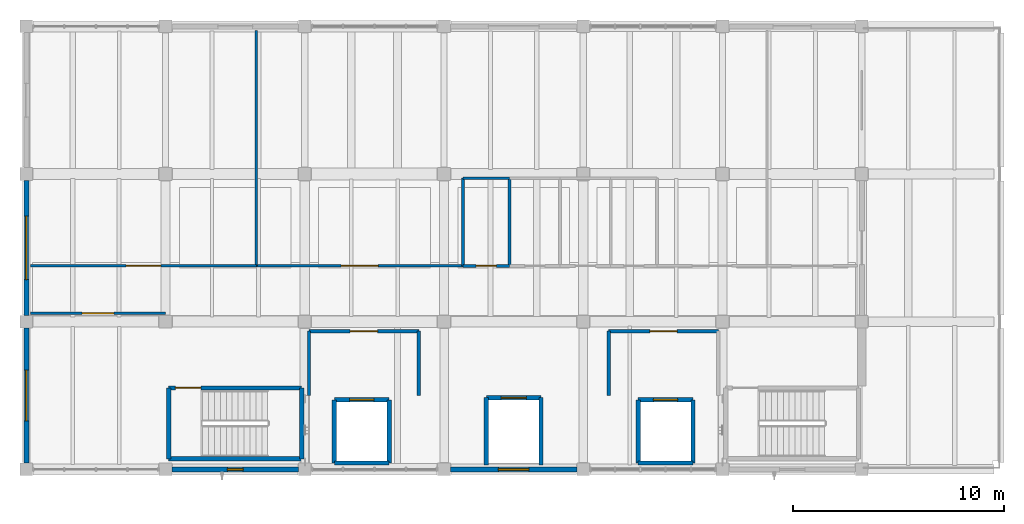
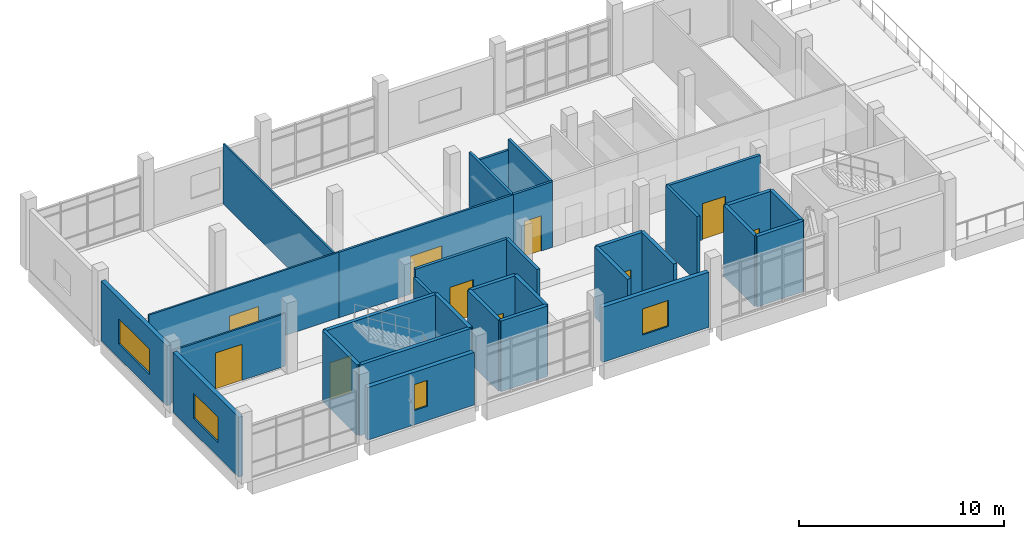
# One storey, part 9 of 14: 32 walls, 10 doors, 4 windows, 14 openings.
"""IFC4 building model written with IfcOpenShell, lengths in metres."""

from ifc_helpers import new_model, si_unit, direction, frame, frame_2d, origin, place, context, subcontext, project, spatial, rectangle, extrude, material, layer, layer_set, type_object, element, fill, save


model = new_model("IFC4")

# Units and contexts
model_context = context("Model", 3, precision=1e-05, world=origin(), true_north=direction((0.0, 1.0)))
body_context = subcontext(model_context, "Body", "Model", "MODEL_VIEW")
ifc_project = project(units=[si_unit("LENGTHUNIT", "METRE"), si_unit("AREAUNIT", "SQUARE_METRE"), si_unit("VOLUMEUNIT", "CUBIC_METRE"), si_unit("PLANEANGLEUNIT", "RADIAN"), si_unit("MASSUNIT", "GRAM", prefix="KILO")], contexts=[model_context])

# Site, building, storey
site_placement = place(None, origin())
site = spatial("IfcSite", under=ifc_project, at=site_placement, CompositionType="ELEMENT")
building_placement = place(site_placement, origin())
building = spatial("IfcBuilding", under=site, at=building_placement, Name="Ciguamira Faculty of Natural Sciences", CompositionType="ELEMENT")
storey_placement = place(building_placement, frame((0.0, 0.0, 29.39990234375)))
storey = spatial("IfcBuildingStorey", under=building, at=storey_placement, Name="L07", CompositionType="ELEMENT", Elevation=29.39990234375)

# Wall, opening, window
ifc_material_1 = material(Name="Precast concrete C40/50", Category="concrete")
ifc_layer_1 = layer(ifc_material_1, 0.239990234375, Name="Precast concrete C40/50")
ifc_layer_set_1 = layer_set([ifc_layer_1], Name="Precast concrete C40/50")
wall_type_1 = type_object("IfcWallType", Name="ExtWall_EW-02_240", PredefinedType="SOLIDWALL", material=ifc_layer_set_1)
wall_1_placement = place(storey_placement, frame((70.800048828125, 94.0, 0.0), z_axis=(0.0, 0.0, 1.0), x_axis=(1.0, 0.0, 0.0)))
wall_1 = element("IfcWall", 1, at=wall_1_placement, inside=storey, type_object=wall_type_1, Name="L07 exterior wall 0361", PredefinedType="SOLIDWALL", context=body_context, shape_type="SweptSolid", body=[
    extrude(rectangle(XDim=6.0, YDim=0.239990234375, at=frame_2d((3.0, 0.0))), origin(), (0.0, 0.0, 1.0), 3.135009765625),
])
opening_1_placement = place(wall_1_placement, frame((2.625, 0.0, 0.85009765625)))
opening_1 = element("IfcOpeningElement", 2, at=opening_1_placement, cuts=wall_1, Name="Opening WT-35", PredefinedType="OPENING", context=body_context, shape_type="SweptSolid", body=[
    extrude(rectangle(XDim=0.75, YDim=1.550048828125, at=frame_2d((0.375, 0.77490234375))), frame((0.0, 0.1298828125, 0.0), z_axis=(0.0, -1.0, 0.0), x_axis=(1.0, 0.0, 0.0)), (0.0, 0.0, 1.0), 0.260009765625),
])
ifc_material_2 = material(Name="Hurricane laminated solar glass", Category="glass")
window_type_1 = type_object("IfcWindowType", Name="Window_WT-35_750x1550", PartitioningType="DOUBLE_PANEL_VERTICAL", PredefinedType="WINDOW", material=ifc_material_2)
window_1_placement = place(opening_1_placement, origin())
window_1 = element("IfcWindow", 3, at=window_1_placement, inside=storey, type_object=window_type_1, Name="L07 facade window 0250", OverallHeight=1.550048828125, OverallWidth=0.75, PartitioningType="SINGLE_PANEL", PredefinedType="WINDOW", context=body_context, shape_type="SweptSolid", body=[
    extrude(rectangle(XDim=0.75, YDim=1.550048828125, at=frame_2d((0.375, 0.77490234375))), frame((0.0, 0.030029296875, 0.0), z_axis=(0.0, -1.0, 0.0), x_axis=(1.0, 0.0, 0.0)), (0.0, 0.0, 1.0), 0.06005859375),
])
fill(opening_1, window_1)

wall_2_placement = place(storey_placement, frame((84.0, 94.0, 0.0), z_axis=(0.0, 0.0, 1.0), x_axis=(1.0, 0.0, 0.0)))
wall_2 = element("IfcWall", 4, at=wall_2_placement, inside=storey, type_object=wall_type_1, Name="L07 exterior wall 0362", PredefinedType="SOLIDWALL", context=body_context, shape_type="SweptSolid", body=[
    extrude(rectangle(XDim=6.0, YDim=0.239990234375, at=frame_2d((3.0, 0.0))), origin(), (0.0, 0.0, 1.0), 3.28515625),
])
opening_2_placement = place(wall_2_placement, frame((2.27490234375, 0.0, 0.85009765625)))
opening_2 = element("IfcOpeningElement", 5, at=opening_2_placement, cuts=wall_2, Name="Opening WT-38", PredefinedType="OPENING", context=body_context, shape_type="SweptSolid", body=[
    extrude(rectangle(XDim=1.449951171875, YDim=1.550048828125, at=frame_2d((0.72509765625, 0.77490234375))), frame((0.0, 0.1298828125, 0.0), z_axis=(0.0, -1.0, 0.0), x_axis=(1.0, 0.0, 0.0)), (0.0, 0.0, 1.0), 0.260009765625),
])
window_type_2 = type_object("IfcWindowType", Name="Window_WT-38_1450x1550", PartitioningType="DOUBLE_PANEL_VERTICAL", PredefinedType="WINDOW", material=ifc_material_2)
window_2_placement = place(opening_2_placement, origin())
window_2 = element("IfcWindow", 6, at=window_2_placement, inside=storey, type_object=window_type_2, Name="L07 facade window 0251", OverallHeight=1.550048828125, OverallWidth=1.449951171875, PartitioningType="SINGLE_PANEL", PredefinedType="WINDOW", context=body_context, shape_type="SweptSolid", body=[
    extrude(rectangle(XDim=1.449951171875, YDim=1.550048828125, at=frame_2d((0.72509765625, 0.77490234375))), frame((0.0, 0.030029296875, 0.0), z_axis=(0.0, -1.0, 0.0), x_axis=(1.0, 0.0, 0.0)), (0.0, 0.0, 1.0), 0.06005859375),
])
fill(opening_2, window_2)

wall_3_placement = place(storey_placement, frame((63.89990234375, 94.300048828125, 0.0), z_axis=(0.0, 0.0, 1.0), x_axis=(0.0, 1.0, 0.0)))
wall_3 = element("IfcWall", 7, at=wall_3_placement, inside=storey, type_object=wall_type_1, Name="L07 exterior wall 0367", PredefinedType="SOLIDWALL", context=body_context, shape_type="SweptSolid", body=[
    extrude(rectangle(XDim=6.39990234375, YDim=0.239990234375, at=frame_2d((3.199951171875, 0.0))), origin(), (0.0, 0.0, 1.0), 3.565185546875),
])
opening_3_placement = place(wall_3_placement, frame((2.0, 0.0, 0.85009765625)))
opening_3 = element("IfcOpeningElement", 8, at=opening_3_placement, cuts=wall_3, Name="Opening WT-12", PredefinedType="OPENING", context=body_context, shape_type="SweptSolid", body=[
    extrude(rectangle(XDim=2.39990234375, YDim=1.5, at=frame_2d((1.199951171875, 0.75))), frame((0.0, 0.1298828125, 0.0), z_axis=(0.0, -1.0, 0.0), x_axis=(1.0, 0.0, 0.0)), (0.0, 0.0, 1.0), 0.260009765625),
])
window_type_3 = type_object("IfcWindowType", Name="Window_WT-12_2400x1500", PartitioningType="DOUBLE_PANEL_VERTICAL", PredefinedType="WINDOW", material=ifc_material_2)
window_3_placement = place(opening_3_placement, origin())
window_3 = element("IfcWindow", 9, at=window_3_placement, inside=storey, type_object=window_type_3, Name="L07 facade window 0256", OverallHeight=1.5, OverallWidth=2.39990234375, PartitioningType="SINGLE_PANEL", PredefinedType="WINDOW", context=body_context, shape_type="SweptSolid", body=[
    extrude(rectangle(XDim=2.39990234375, YDim=1.5, at=frame_2d((1.199951171875, 0.75))), frame((0.0, 0.030029296875, 0.0), z_axis=(0.0, -1.0, 0.0), x_axis=(1.0, 0.0, 0.0)), (0.0, 0.0, 1.0), 0.06005859375),
])
fill(opening_3, window_3)

wall_4_placement = place(storey_placement, frame((63.89990234375, 101.300048828125, 0.0), z_axis=(0.0, 0.0, 1.0), x_axis=(0.0, 1.0, 0.0)))
wall_4 = element("IfcWall", 10, at=wall_4_placement, inside=storey, type_object=wall_type_1, Name="L07 exterior wall 0368", PredefinedType="SOLIDWALL", context=body_context, shape_type="SweptSolid", body=[
    extrude(rectangle(XDim=6.39990234375, YDim=0.239990234375, at=frame_2d((3.199951171875, 0.0))), origin(), (0.0, 0.0, 1.0), 3.565185546875),
])
opening_4_placement = place(wall_4_placement, frame((1.699951171875, 0.0, 0.85009765625)))
opening_4 = element("IfcOpeningElement", 11, at=opening_4_placement, cuts=wall_4, Name="Opening WT-14", PredefinedType="OPENING", context=body_context, shape_type="SweptSolid", body=[
    extrude(rectangle(XDim=3.0, YDim=1.5, at=frame_2d((1.5, 0.75))), frame((0.0, 0.1298828125, 0.0), z_axis=(0.0, -1.0, 0.0), x_axis=(1.0, 0.0, 0.0)), (0.0, 0.0, 1.0), 0.260009765625),
])
window_type_4 = type_object("IfcWindowType", Name="Window_WT-14_3000x1500", PartitioningType="DOUBLE_PANEL_VERTICAL", PredefinedType="WINDOW", material=ifc_material_2)
window_4_placement = place(opening_4_placement, origin())
window_4 = element("IfcWindow", 12, at=window_4_placement, inside=storey, type_object=window_type_4, Name="L07 facade window 0257", OverallHeight=1.5, OverallWidth=3.0, PartitioningType="SINGLE_PANEL", PredefinedType="WINDOW", context=body_context, shape_type="SweptSolid", body=[
    extrude(rectangle(XDim=3.0, YDim=1.5, at=frame_2d((1.5, 0.75))), frame((0.0, 0.030029296875, 0.0), z_axis=(0.0, -1.0, 0.0), x_axis=(1.0, 0.0, 0.0)), (0.0, 0.0, 1.0), 0.06005859375),
])
fill(opening_4, window_4)

# Wall
ifc_material_3 = material(Name="Concrete C40/50", Category="concrete")
ifc_layer_2 = layer(ifc_material_3, 0.199951171875, Name="Concrete C40/50")
ifc_layer_set_2 = layer_set([ifc_layer_2], Name="Concrete C40/50")
wall_type_2 = type_object("IfcWallType", Name="IntWall_CW-S20_200", PredefinedType="SHEAR", material=ifc_layer_set_2)
wall_5_placement = place(storey_placement, frame((70.64990234375, 94.5, 0.0), z_axis=(0.0, 0.0, 1.0), x_axis=(1.0, 0.0, 0.0)))
element("IfcWall", 13, at=wall_5_placement, inside=storey, type_object=wall_type_2, Name="L07 ST-T1 core shear wall south", PredefinedType="SHEAR", context=body_context, shape_type="SweptSolid", body=[
    extrude(rectangle(XDim=6.300048828125, YDim=0.199951171875, at=frame_2d((3.14990234375, 0.0))), origin(), (0.0, 0.0, 1.0), 4.2001953125),
])

# Wall, opening, door
wall_6_placement = place(storey_placement, frame((70.64990234375, 97.860107421875, 0.0), z_axis=(0.0, 0.0, 1.0), x_axis=(1.0, 0.0, 0.0)))
wall_6 = element("IfcWall", 14, at=wall_6_placement, inside=storey, type_object=wall_type_2, Name="L07 ST-T1 core shear wall north", PredefinedType="SHEAR", context=body_context, shape_type="SweptSolid", body=[
    extrude(rectangle(XDim=6.300048828125, YDim=0.199951171875, at=frame_2d((3.14990234375, 0.0))), origin(), (0.0, 0.0, 1.0), 4.2001953125),
])
opening_5_placement = place(wall_6_placement, frame((0.320068359375, 0.0, 0.0)))
opening_5 = element("IfcOpeningElement", 15, at=opening_5_placement, cuts=wall_6, Name="Opening ID-14", PredefinedType="OPENING", context=body_context, shape_type="SweptSolid", body=[
    extrude(rectangle(XDim=1.199951171875, YDim=2.14990234375, at=frame_2d((0.60009765625, 1.074951171875))), frame((0.0, 0.10986328125, 0.0), z_axis=(0.0, -1.0, 0.0), x_axis=(1.0, 0.0, 0.0)), (0.0, 0.0, 1.0), 0.219970703125),
])
ifc_material_4 = material(Name="Protected exit stair fire door")
door_type_1 = type_object("IfcDoorType", Name="IntDoor_ID-14_1200x2150", OperationType="NOTDEFINED", PredefinedType="DOOR", material=ifc_material_4)
door_1_placement = place(opening_5_placement, frame((1.199951171875, 0.0, 0.0), z_axis=(0.0, 0.0, 1.0), x_axis=(-1.0, 0.0, 0.0)))
door_1 = element("IfcDoor", 16, at=door_1_placement, inside=storey, type_object=door_type_1, Name="L07 ST-T1 exit stair fire door", OperationType="SINGLE_SWING_LEFT", OverallHeight=2.14990234375, OverallWidth=1.199951171875, PredefinedType="DOOR", context=body_context, shape_type="SweptSolid", body=[
    extrude(rectangle(XDim=1.199951171875, YDim=2.14990234375, at=frame_2d((0.60009765625, 1.074951171875))), frame((0.0, 0.02490234375, 0.0), z_axis=(0.0, -1.0, 0.0), x_axis=(1.0, 0.0, 0.0)), (0.0, 0.0, 1.0), 0.050048828125),
])
fill(opening_5, door_1)

# Walls
for number, where, z_axis, x_axis, name in (
    (17, (70.64990234375, 94.5, 0.0), (0.0, 0.0, 1.0), (0.0, 1.0, 0.0), "L07 ST-T1 core shear wall west"),
    (18, (76.949951171875, 94.5, 0.0), (0.0, 0.0, 1.0), (0.0, 1.0, 0.0), "L07 ST-T1 core shear wall east"),
):
    element("IfcWall", number, at=place(storey_placement, frame(where, z_axis=z_axis, x_axis=x_axis)), inside=storey, type_object=wall_type_2, Name=name, PredefinedType="SHEAR", context=body_context, shape_type="SweptSolid", body=[
        extrude(rectangle(XDim=3.360107421875, YDim=0.199951171875, at=frame_2d((1.68017578125, 0.0))), origin(), (0.0, 0.0, 1.0), 4.2001953125),
    ])
wall_7_placement = place(storey_placement, frame((78.5, 94.300048828125, 0.0), z_axis=(0.0, 0.0, 1.0), x_axis=(1.0, 0.0, 0.0)))
element("IfcWall", 19, at=wall_7_placement, inside=storey, type_object=wall_type_2, Name="L07 EL-FF1 hoistway wall south", PredefinedType="SHEAR", context=body_context, shape_type="SweptSolid", body=[
    extrude(rectangle(XDim=2.60009765625, YDim=0.199951171875, at=frame_2d((1.300048828125, 0.0))), origin(), (0.0, 0.0, 1.0), 4.2001953125),
])

# Wall, opening, door
wall_8_placement = place(storey_placement, frame((78.5, 97.300048828125, 0.0), z_axis=(0.0, 0.0, 1.0), x_axis=(1.0, 0.0, 0.0)))
wall_8 = element("IfcWall", 20, at=wall_8_placement, inside=storey, type_object=wall_type_2, Name="L07 EL-FF1 hoistway wall north", PredefinedType="SHEAR", context=body_context, shape_type="SweptSolid", body=[
    extrude(rectangle(XDim=2.60009765625, YDim=0.199951171875, at=frame_2d((1.300048828125, 0.0))), origin(), (0.0, 0.0, 1.0), 4.2001953125),
])
opening_6_placement = place(wall_8_placement, frame((0.72509765625, 0.0, 0.0)))
opening_6 = element("IfcOpeningElement", 21, at=opening_6_placement, cuts=wall_8, Name="Opening LD-03", PredefinedType="OPENING", context=body_context, shape_type="SweptSolid", body=[
    extrude(rectangle(XDim=1.14990234375, YDim=2.199951171875, at=frame_2d((0.574951171875, 1.10009765625))), frame((0.0, 0.10986328125, 0.0), z_axis=(0.0, -1.0, 0.0), x_axis=(1.0, 0.0, 0.0)), (0.0, 0.0, 1.0), 0.219970703125),
])
ifc_material_5 = material(Name="Firefighting lift sliding landing door")
door_type_2 = type_object("IfcDoorType", Name="LiftLandingDoor_LD-03_1150x2200", OperationType="SLIDING_TO_LEFT", PredefinedType="DOOR", material=ifc_material_5)
door_2_placement = place(opening_6_placement, origin())
door_2 = element("IfcDoor", 22, at=door_2_placement, inside=storey, type_object=door_type_2, Name="L07 EL-FF1 elevator landing sliding door", OperationType="SLIDING_TO_LEFT", OverallHeight=2.199951171875, OverallWidth=1.14990234375, PredefinedType="DOOR", context=body_context, shape_type="SweptSolid", body=[
    extrude(rectangle(XDim=1.14990234375, YDim=2.199951171875, at=frame_2d((0.574951171875, 1.10009765625))), frame((0.0, 0.02490234375, 0.0), z_axis=(0.0, -1.0, 0.0), x_axis=(1.0, 0.0, 0.0)), (0.0, 0.0, 1.0), 0.050048828125),
])
fill(opening_6, door_2)

# Walls
for number, where, z_axis, x_axis, name in (
    (23, (78.5, 94.300048828125, 0.0), (0.0, 0.0, 1.0), (0.0, 1.0, 0.0), "L07 EL-FF1 hoistway wall west"),
    (24, (81.10009765625, 94.300048828125, 0.0), (0.0, 0.0, 1.0), (0.0, 1.0, 0.0), "L07 EL-FF1 hoistway wall east"),
):
    element("IfcWall", number, at=place(storey_placement, frame(where, z_axis=z_axis, x_axis=x_axis)), inside=storey, type_object=wall_type_2, Name=name, PredefinedType="SHEAR", context=body_context, shape_type="SweptSolid", body=[
        extrude(rectangle(XDim=3.0, YDim=0.199951171875, at=frame_2d((1.5, 0.0))), origin(), (0.0, 0.0, 1.0), 4.2001953125),
    ])
wall_9_placement = place(storey_placement, frame((92.89990234375, 94.300048828125, 0.0), z_axis=(0.0, 0.0, 1.0), x_axis=(1.0, 0.0, 0.0)))
element("IfcWall", 25, at=wall_9_placement, inside=storey, type_object=wall_type_2, Name="L07 EL-FF2 hoistway wall south", PredefinedType="SHEAR", context=body_context, shape_type="SweptSolid", body=[
    extrude(rectangle(XDim=2.60009765625, YDim=0.199951171875, at=frame_2d((1.300048828125, 0.0))), origin(), (0.0, 0.0, 1.0), 4.2001953125),
])

# Wall, opening, door
wall_10_placement = place(storey_placement, frame((92.89990234375, 97.300048828125, 0.0), z_axis=(0.0, 0.0, 1.0), x_axis=(1.0, 0.0, 0.0)))
wall_10 = element("IfcWall", 26, at=wall_10_placement, inside=storey, type_object=wall_type_2, Name="L07 EL-FF2 hoistway wall north", PredefinedType="SHEAR", context=body_context, shape_type="SweptSolid", body=[
    extrude(rectangle(XDim=2.60009765625, YDim=0.199951171875, at=frame_2d((1.300048828125, 0.0))), origin(), (0.0, 0.0, 1.0), 4.2001953125),
])
opening_7_placement = place(wall_10_placement, frame((0.72509765625, 0.0, 0.0)))
opening_7 = element("IfcOpeningElement", 27, at=opening_7_placement, cuts=wall_10, Name="Opening LD-03", PredefinedType="OPENING", context=body_context, shape_type="SweptSolid", body=[
    extrude(rectangle(XDim=1.14990234375, YDim=2.199951171875, at=frame_2d((0.574951171875, 1.10009765625))), frame((0.0, 0.10986328125, 0.0), z_axis=(0.0, -1.0, 0.0), x_axis=(1.0, 0.0, 0.0)), (0.0, 0.0, 1.0), 0.219970703125),
])
door_3_placement = place(opening_7_placement, origin())
door_3 = element("IfcDoor", 28, at=door_3_placement, inside=storey, type_object=door_type_2, Name="L07 EL-FF2 elevator landing sliding door", OperationType="SLIDING_TO_LEFT", OverallHeight=2.199951171875, OverallWidth=1.14990234375, PredefinedType="DOOR", context=body_context, shape_type="SweptSolid", body=[
    extrude(rectangle(XDim=1.14990234375, YDim=2.199951171875, at=frame_2d((0.574951171875, 1.10009765625))), frame((0.0, 0.02490234375, 0.0), z_axis=(0.0, -1.0, 0.0), x_axis=(1.0, 0.0, 0.0)), (0.0, 0.0, 1.0), 0.050048828125),
])
fill(opening_7, door_3)

# Walls
for number, where, z_axis, x_axis, name in (
    (29, (92.89990234375, 94.300048828125, 0.0), (0.0, 0.0, 1.0), (0.0, 1.0, 0.0), "L07 EL-FF2 hoistway wall west"),
    (30, (95.5, 94.300048828125, 0.0), (0.0, 0.0, 1.0), (0.0, 1.0, 0.0), "L07 EL-FF2 hoistway wall east"),
):
    element("IfcWall", number, at=place(storey_placement, frame(where, z_axis=z_axis, x_axis=x_axis)), inside=storey, type_object=wall_type_2, Name=name, PredefinedType="SHEAR", context=body_context, shape_type="SweptSolid", body=[
        extrude(rectangle(XDim=3.0, YDim=0.199951171875, at=frame_2d((1.5, 0.0))), origin(), (0.0, 0.0, 1.0), 4.2001953125),
    ])

# Wall, opening, door
wall_11_placement = place(storey_placement, frame((85.699951171875, 97.39990234375, 0.0), z_axis=(0.0, 0.0, 1.0), x_axis=(1.0, 0.0, 0.0)))
wall_11 = element("IfcWall", 31, at=wall_11_placement, inside=storey, type_object=wall_type_2, Name="L07 EL-P1 hoistway wall north", PredefinedType="SHEAR", context=body_context, shape_type="SweptSolid", body=[
    extrude(rectangle(XDim=2.60009765625, YDim=0.199951171875, at=frame_2d((1.300048828125, 0.0))), origin(), (0.0, 0.0, 1.0), 4.2001953125),
])
opening_8_placement = place(wall_11_placement, frame((0.699951171875, 0.0, 0.0)))
opening_8 = element("IfcOpeningElement", 32, at=opening_8_placement, cuts=wall_11, Name="Opening LD-02", PredefinedType="OPENING", context=body_context, shape_type="SweptSolid", body=[
    extrude(rectangle(XDim=1.199951171875, YDim=2.199951171875, at=frame_2d((0.60009765625, 1.10009765625))), frame((0.0, 0.10986328125, 0.0), z_axis=(0.0, -1.0, 0.0), x_axis=(1.0, 0.0, 0.0)), (0.0, 0.0, 1.0), 0.219970703125),
])
ifc_material_6 = material(Name="Stretcher elevator sliding landing door")
door_type_3 = type_object("IfcDoorType", Name="LiftLandingDoor_LD-02_1200x2200", OperationType="SLIDING_TO_LEFT", PredefinedType="DOOR", material=ifc_material_6)
door_4_placement = place(opening_8_placement, origin())
door_4 = element("IfcDoor", 33, at=door_4_placement, inside=storey, type_object=door_type_3, Name="L07 EL-P1 elevator landing sliding door", OperationType="SLIDING_TO_LEFT", OverallHeight=2.199951171875, OverallWidth=1.199951171875, PredefinedType="DOOR", context=body_context, shape_type="SweptSolid", body=[
    extrude(rectangle(XDim=1.199951171875, YDim=2.199951171875, at=frame_2d((0.60009765625, 1.10009765625))), frame((0.0, 0.02490234375, 0.0), z_axis=(0.0, -1.0, 0.0), x_axis=(1.0, 0.0, 0.0)), (0.0, 0.0, 1.0), 0.050048828125),
])
fill(opening_8, door_4)

# Walls
for number, where, z_axis, x_axis, name in (
    (34, (85.699951171875, 94.199951171875, 0.0), (0.0, 0.0, 1.0), (0.0, 1.0, 0.0), "L07 EL-P1 hoistway wall west"),
    (35, (88.300048828125, 94.199951171875, 0.0), (0.0, 0.0, 1.0), (0.0, 1.0, 0.0), "L07 EL-P1 hoistway wall east"),
):
    element("IfcWall", number, at=place(storey_placement, frame(where, z_axis=z_axis, x_axis=x_axis)), inside=storey, type_object=wall_type_2, Name=name, PredefinedType="SHEAR", context=body_context, shape_type="SweptSolid", body=[
        extrude(rectangle(XDim=3.199951171875, YDim=0.199951171875, at=frame_2d((1.60009765625, 0.0))), origin(), (0.0, 0.0, 1.0), 4.2001953125),
    ])

# Wall, opening, door
ifc_material_7 = material(Name="Fire-rated gypsum partition")
ifc_layer_3 = layer(ifc_material_7, 0.10009765625, Name="Fire-rated gypsum partition")
ifc_layer_set_3 = layer_set([ifc_layer_3], Name="Fire-rated gypsum partition")
wall_type_3 = type_object("IfcWallType", Name="IntWall_IW-A10_100", PredefinedType="PARTITIONING", material=ifc_layer_set_3)
wall_12_placement = place(storey_placement, frame((64.10009765625, 103.64990234375, 0.0), z_axis=(0.0, 0.0, 1.0), x_axis=(1.0, 0.0, 0.0)))
wall_12 = element("IfcWall", 36, at=wall_12_placement, inside=storey, type_object=wall_type_3, Name="L07 Caribbean Coral Reef Genomics Lab partition south", PredefinedType="PARTITIONING", context=body_context, shape_type="SweptSolid", body=[
    extrude(rectangle(XDim=10.699951171875, YDim=0.10009765625, at=frame_2d((5.35009765625, 0.0))), origin(), (0.0, 0.0, 1.0), 3.900146484375),
])
opening_9_placement = place(wall_12_placement, frame((4.52490234375, 0.0, 0.0)))
opening_9 = element("IfcOpeningElement", 37, at=opening_9_placement, cuts=wall_12, Name="Opening ID-10", PredefinedType="OPENING", context=body_context, shape_type="SweptSolid", body=[
    extrude(rectangle(XDim=1.64990234375, YDim=2.25, at=frame_2d((0.824951171875, 1.125))), frame((0.0, 0.06005859375, 0.0), z_axis=(0.0, -1.0, 0.0), x_axis=(1.0, 0.0, 0.0)), (0.0, 0.0, 1.0), 0.1201171875),
])
ifc_material_8 = material(Name="Reading hall double acoustic door")
door_type_4 = type_object("IfcDoorType", Name="IntDoor_ID-10_1650x2250", OperationType="NOTDEFINED", PredefinedType="DOOR", material=ifc_material_8)
door_5_placement = place(opening_9_placement, origin())
door_5 = element("IfcDoor", 38, at=door_5_placement, inside=storey, type_object=door_type_4, Name="L07 Caribbean Coral Reef Genomics Lab door", OperationType="SINGLE_SWING_RIGHT", OverallHeight=2.25, OverallWidth=1.64990234375, PredefinedType="DOOR", context=body_context, shape_type="SweptSolid", body=[
    extrude(rectangle(XDim=1.64990234375, YDim=2.25, at=frame_2d((0.824951171875, 1.125))), frame((0.0, 0.02490234375, 0.0), z_axis=(0.0, -1.0, 0.0), x_axis=(1.0, 0.0, 0.0)), (0.0, 0.0, 1.0), 0.050048828125),
])
fill(opening_9, door_5)

# Wall
wall_13_placement = place(storey_placement, frame((74.800048828125, 103.64990234375, 0.0), z_axis=(0.0, 0.0, 1.0), x_axis=(0.0, 1.0, 0.0)))
element("IfcWall", 39, at=wall_13_placement, inside=storey, type_object=wall_type_3, Name="L07 Caribbean Coral Reef Genomics Lab partition east", PredefinedType="PARTITIONING", context=body_context, shape_type="SweptSolid", body=[
    extrude(rectangle(XDim=11.150146484375, YDim=0.10009765625, at=frame_2d((5.5751953125, 0.0))), origin(), (0.0, 0.0, 1.0), 3.581787109375),
])

# Wall, opening, door
wall_14_placement = place(storey_placement, frame((64.10009765625, 101.39990234375, 0.0), z_axis=(0.0, 0.0, 1.0), x_axis=(1.0, 0.0, 0.0)))
wall_14 = element("IfcWall", 40, at=wall_14_placement, inside=storey, type_object=wall_type_3, Name="L07 Population Ecology Office partition north", PredefinedType="PARTITIONING", context=body_context, shape_type="SweptSolid", body=[
    extrude(rectangle(XDim=6.39990234375, YDim=0.10009765625, at=frame_2d((3.199951171875, 0.0))), origin(), (0.0, 0.0, 1.0), 3.135009765625),
])
opening_10_placement = place(wall_14_placement, frame((2.449951171875, 0.0, 0.0)))
opening_10 = element("IfcOpeningElement", 41, at=opening_10_placement, cuts=wall_14, Name="Opening ID-17", PredefinedType="OPENING", context=body_context, shape_type="SweptSolid", body=[
    extrude(rectangle(XDim=1.5, YDim=2.14990234375, at=frame_2d((0.75, 1.074951171875))), frame((0.0, 0.06005859375, 0.0), z_axis=(0.0, -1.0, 0.0), x_axis=(1.0, 0.0, 0.0)), (0.0, 0.0, 1.0), 0.1201171875),
])
ifc_material_9 = material(Name="Plant room double steel door", Category="steel")
door_type_5 = type_object("IfcDoorType", Name="IntDoor_ID-17_1500x2150", OperationType="NOTDEFINED", PredefinedType="DOOR", material=ifc_material_9)
door_6_placement = place(opening_10_placement, frame((1.5, 0.0, 0.0), z_axis=(0.0, 0.0, 1.0), x_axis=(-1.0, 0.0, 0.0)))
door_6 = element("IfcDoor", 42, at=door_6_placement, inside=storey, type_object=door_type_5, Name="L07 Population Ecology Office door", OperationType="SINGLE_SWING_RIGHT", OverallHeight=2.14990234375, OverallWidth=1.5, PredefinedType="DOOR", context=body_context, shape_type="SweptSolid", body=[
    extrude(rectangle(XDim=1.5, YDim=2.14990234375, at=frame_2d((0.75, 1.074951171875))), frame((0.0, 0.02490234375, 0.0), z_axis=(0.0, -1.0, 0.0), x_axis=(1.0, 0.0, 0.0)), (0.0, 0.0, 1.0), 0.050048828125),
])
fill(opening_10, door_6)

ifc_material_10 = material(Name="Acoustic double-stud gypsum partition")
ifc_layer_4 = layer(ifc_material_10, 0.1201171875, Name="Acoustic double-stud gypsum partition")
ifc_layer_set_4 = layer_set([ifc_layer_4], Name="Acoustic double-stud gypsum partition")
wall_type_4 = type_object("IfcWallType", Name="IntWall_IW-A12_120", PredefinedType="PARTITIONING", material=ifc_layer_set_4)
wall_15_placement = place(storey_placement, frame((74.800048828125, 103.64990234375, 0.0), z_axis=(0.0, 0.0, 1.0), x_axis=(1.0, 0.0, 0.0)))
wall_15 = element("IfcWall", 43, at=wall_15_placement, inside=storey, type_object=wall_type_4, Name="L07 Windward Loggia Seminar Lounge partition south", PredefinedType="PARTITIONING", context=body_context, shape_type="SweptSolid", body=[
    extrude(rectangle(XDim=9.800048828125, YDim=0.1201171875, at=frame_2d((4.89990234375, 0.0))), origin(), (0.0, 0.0, 1.0), 3.900146484375),
])
opening_11_placement = place(wall_15_placement, frame((4.02490234375, 0.0, 0.0)))
opening_11 = element("IfcOpeningElement", 44, at=opening_11_placement, cuts=wall_15, Name="Opening ID-11", PredefinedType="OPENING", context=body_context, shape_type="SweptSolid", body=[
    extrude(rectangle(XDim=1.75, YDim=2.25, at=frame_2d((0.875, 1.125))), frame((0.0, 0.070068359375, 0.0), z_axis=(0.0, -1.0, 0.0), x_axis=(1.0, 0.0, 0.0)), (0.0, 0.0, 1.0), 0.14013671875),
])
ifc_material_11 = material(Name="Exhibition gallery double door")
door_type_6 = type_object("IfcDoorType", Name="IntDoor_ID-11_1750x2250", OperationType="NOTDEFINED", PredefinedType="DOOR", material=ifc_material_11)
door_7_placement = place(opening_11_placement, origin())
door_7 = element("IfcDoor", 45, at=door_7_placement, inside=storey, type_object=door_type_6, Name="L07 Windward Loggia Seminar Lounge door", OperationType="SINGLE_SWING_LEFT", OverallHeight=2.25, OverallWidth=1.75, PredefinedType="DOOR", context=body_context, shape_type="SweptSolid", body=[
    extrude(rectangle(XDim=1.75, YDim=2.25, at=frame_2d((0.875, 1.125))), frame((0.0, 0.02490234375, 0.0), z_axis=(0.0, -1.0, 0.0), x_axis=(1.0, 0.0, 0.0)), (0.0, 0.0, 1.0), 0.050048828125),
])
fill(opening_11, door_7)

ifc_material_12 = material(Name="Fire-rated blockwork wall", Category="masonry")
ifc_layer_5 = layer(ifc_material_12, 0.159912109375, Name="Fire-rated blockwork wall")
ifc_layer_set_5 = layer_set([ifc_layer_5], Name="Fire-rated blockwork wall")
wall_type_5 = type_object("IfcWallType", Name="IntWall_IW-F16_160", PredefinedType="SOLIDWALL", material=ifc_layer_set_5)
wall_16_placement = place(storey_placement, frame((77.300048828125, 100.550048828125, 0.0), z_axis=(0.0, 0.0, 1.0), x_axis=(1.0, 0.0, 0.0)))
wall_16 = element("IfcWall", 46, at=wall_16_placement, inside=storey, type_object=wall_type_5, Name="L07 Firefighting Lift Lobby 1 partition north", PredefinedType="SOLIDWALL", context=body_context, shape_type="SweptSolid", body=[
    extrude(rectangle(XDim=5.199951171875, YDim=0.159912109375, at=frame_2d((2.60009765625, 0.0))), origin(), (0.0, 0.0, 1.0), 3.900146484375),
])
opening_12_placement = place(wall_16_placement, frame((1.949951171875, 0.0, 0.0)))
opening_12 = element("IfcOpeningElement", 47, at=opening_12_placement, cuts=wall_16, Name="Opening ID-15", PredefinedType="OPENING", context=body_context, shape_type="SweptSolid", body=[
    extrude(rectangle(XDim=1.300048828125, YDim=2.14990234375, at=frame_2d((0.64990234375, 1.074951171875))), frame((0.0, 0.08984375, 0.0), z_axis=(0.0, -1.0, 0.0), x_axis=(1.0, 0.0, 0.0)), (0.0, 0.0, 1.0), 0.179931640625),
])
ifc_material_13 = material(Name="Firefighting lift lobby fire door")
door_type_7 = type_object("IfcDoorType", Name="IntDoor_ID-15_1300x2150", OperationType="NOTDEFINED", PredefinedType="DOOR", material=ifc_material_13)
door_8_placement = place(opening_12_placement, frame((1.300048828125, 0.0, 0.0), z_axis=(0.0, 0.0, 1.0), x_axis=(-1.0, 0.0, 0.0)))
door_8 = element("IfcDoor", 48, at=door_8_placement, inside=storey, type_object=door_type_7, Name="L07 Firefighting Lift Lobby 1 door", OperationType="SINGLE_SWING_RIGHT", OverallHeight=2.14990234375, OverallWidth=1.300048828125, PredefinedType="DOOR", context=body_context, shape_type="SweptSolid", body=[
    extrude(rectangle(XDim=1.300048828125, YDim=2.14990234375, at=frame_2d((0.64990234375, 1.074951171875))), frame((0.0, 0.02490234375, 0.0), z_axis=(0.0, -1.0, 0.0), x_axis=(1.0, 0.0, 0.0)), (0.0, 0.0, 1.0), 0.050048828125),
])
fill(opening_12, door_8)

# Walls
wall_17_placement = place(storey_placement, frame((77.300048828125, 97.5, 0.0), z_axis=(0.0, 0.0, 1.0), x_axis=(0.0, 1.0, 0.0)))
element("IfcWall", 49, at=wall_17_placement, inside=storey, type_object=wall_type_5, Name="L07 Firefighting Lift Lobby 1 partition west", PredefinedType="SOLIDWALL", context=body_context, shape_type="SweptSolid", body=[
    extrude(rectangle(XDim=3.050048828125, YDim=0.159912109375, at=frame_2d((1.52490234375, 0.0))), origin(), (0.0, 0.0, 1.0), 3.405029296875),
])
wall_18_placement = place(storey_placement, frame((82.5, 97.5, 0.0), z_axis=(0.0, 0.0, 1.0), x_axis=(0.0, 1.0, 0.0)))
element("IfcWall", 50, at=wall_18_placement, inside=storey, type_object=wall_type_5, Name="L07 Firefighting Lift Lobby 1 partition east", PredefinedType="SOLIDWALL", context=body_context, shape_type="SweptSolid", body=[
    extrude(rectangle(XDim=3.050048828125, YDim=0.159912109375, at=frame_2d((1.52490234375, 0.0))), origin(), (0.0, 0.0, 1.0), 3.900146484375),
])

# Wall, opening, door
wall_19_placement = place(storey_placement, frame((91.5, 100.550048828125, 0.0), z_axis=(0.0, 0.0, 1.0), x_axis=(1.0, 0.0, 0.0)))
wall_19 = element("IfcWall", 51, at=wall_19_placement, inside=storey, type_object=wall_type_5, Name="L07 Firefighting Lift Lobby 2 partition north", PredefinedType="SOLIDWALL", context=body_context, shape_type="SweptSolid", body=[
    extrude(rectangle(XDim=5.199951171875, YDim=0.159912109375, at=frame_2d((2.60009765625, 0.0))), origin(), (0.0, 0.0, 1.0), 3.900146484375),
])
opening_13_placement = place(wall_19_placement, frame((1.949951171875, 0.0, 0.0)))
opening_13 = element("IfcOpeningElement", 52, at=opening_13_placement, cuts=wall_19, Name="Opening ID-15", PredefinedType="OPENING", context=body_context, shape_type="SweptSolid", body=[
    extrude(rectangle(XDim=1.300048828125, YDim=2.14990234375, at=frame_2d((0.64990234375, 1.074951171875))), frame((0.0, 0.08984375, 0.0), z_axis=(0.0, -1.0, 0.0), x_axis=(1.0, 0.0, 0.0)), (0.0, 0.0, 1.0), 0.179931640625),
])
door_9_placement = place(opening_13_placement, frame((1.300048828125, 0.0, 0.0), z_axis=(0.0, 0.0, 1.0), x_axis=(-1.0, 0.0, 0.0)))
door_9 = element("IfcDoor", 53, at=door_9_placement, inside=storey, type_object=door_type_7, Name="L07 Firefighting Lift Lobby 2 door", OperationType="SINGLE_SWING_LEFT", OverallHeight=2.14990234375, OverallWidth=1.300048828125, PredefinedType="DOOR", context=body_context, shape_type="SweptSolid", body=[
    extrude(rectangle(XDim=1.300048828125, YDim=2.14990234375, at=frame_2d((0.64990234375, 1.074951171875))), frame((0.0, 0.02490234375, 0.0), z_axis=(0.0, -1.0, 0.0), x_axis=(1.0, 0.0, 0.0)), (0.0, 0.0, 1.0), 0.050048828125),
])
fill(opening_13, door_9)

# Wall
wall_20_placement = place(storey_placement, frame((91.5, 97.5, 0.0), z_axis=(0.0, 0.0, 1.0), x_axis=(0.0, 1.0, 0.0)))
element("IfcWall", 54, at=wall_20_placement, inside=storey, type_object=wall_type_5, Name="L07 Firefighting Lift Lobby 2 partition west", PredefinedType="SOLIDWALL", context=body_context, shape_type="SweptSolid", body=[
    extrude(rectangle(XDim=3.050048828125, YDim=0.159912109375, at=frame_2d((1.52490234375, 0.0))), origin(), (0.0, 0.0, 1.0), 3.900146484375),
])

# Wall, opening, door
ifc_material_14 = material(Name="Moisture-resistant service chase wall")
ifc_layer_6 = layer(ifc_material_14, 0.139892578125, Name="Moisture-resistant service chase wall")
ifc_layer_set_6 = layer_set([ifc_layer_6], Name="Moisture-resistant service chase wall")
wall_type_6 = type_object("IfcWallType", Name="IntWall_IW-P14_140", PredefinedType="PLUMBINGWALL", material=ifc_layer_set_6)
wall_21_placement = place(storey_placement, frame((84.60009765625, 103.64990234375, 0.0), z_axis=(0.0, 0.0, 1.0), x_axis=(1.0, 0.0, 0.0)))
wall_21 = element("IfcWall", 55, at=wall_21_placement, inside=storey, type_object=wall_type_6, Name="L07 Accessible WC partition south", PredefinedType="PLUMBINGWALL", context=body_context, shape_type="SweptSolid", body=[
    extrude(rectangle(XDim=2.199951171875, YDim=0.139892578125, at=frame_2d((1.10009765625, 0.0))), origin(), (0.0, 0.0, 1.0), 3.900146484375),
])
opening_14_placement = place(wall_21_placement, frame((0.625, 0.0, 0.0)))
opening_14 = element("IfcOpeningElement", 56, at=opening_14_placement, cuts=wall_21, Name="Opening ID-02", PredefinedType="OPENING", context=body_context, shape_type="SweptSolid", body=[
    extrude(rectangle(XDim=0.949951171875, YDim=2.10009765625, at=frame_2d((0.47509765625, 1.050048828125))), frame((0.0, 0.079833984375, 0.0), z_axis=(0.0, -1.0, 0.0), x_axis=(1.0, 0.0, 0.0)), (0.0, 0.0, 1.0), 0.159912109375),
])
ifc_material_15 = material(Name="Accessible WC outward-clear door")
door_type_8 = type_object("IfcDoorType", Name="IntDoor_ID-02_950x2100", OperationType="NOTDEFINED", PredefinedType="DOOR", material=ifc_material_15)
door_10_placement = place(opening_14_placement, origin())
door_10 = element("IfcDoor", 57, at=door_10_placement, inside=storey, type_object=door_type_8, Name="L07 Accessible WC door", OperationType="SINGLE_SWING_RIGHT", OverallHeight=2.10009765625, OverallWidth=0.949951171875, PredefinedType="DOOR", context=body_context, shape_type="SweptSolid", body=[
    extrude(rectangle(XDim=0.949951171875, YDim=2.10009765625, at=frame_2d((0.47509765625, 1.050048828125))), frame((0.0, 0.02490234375, 0.0), z_axis=(0.0, -1.0, 0.0), x_axis=(1.0, 0.0, 0.0)), (0.0, 0.0, 1.0), 0.050048828125),
])
fill(opening_14, door_10)

# Walls
wall_22_placement = place(storey_placement, frame((84.60009765625, 107.800048828125, 0.0), z_axis=(0.0, 0.0, 1.0), x_axis=(1.0, 0.0, 0.0)))
element("IfcWall", 58, at=wall_22_placement, inside=storey, type_object=wall_type_6, Name="L07 Accessible WC partition north", PredefinedType="PLUMBINGWALL", context=body_context, shape_type="SweptSolid", body=[
    extrude(rectangle(XDim=2.199951171875, YDim=0.139892578125, at=frame_2d((1.10009765625, 0.0))), origin(), (0.0, 0.0, 1.0), 3.28515625),
])
for number, where, z_axis, x_axis, name in (
    (59, (84.60009765625, 103.64990234375, 0.0), (0.0, 0.0, 1.0), (0.0, 1.0, 0.0), "L07 Accessible WC partition west"),
    (60, (86.800048828125, 103.64990234375, 0.0), (0.0, 0.0, 1.0), (0.0, 1.0, 0.0), "L07 Accessible WC partition east"),
):
    element("IfcWall", number, at=place(storey_placement, frame(where, z_axis=z_axis, x_axis=x_axis)), inside=storey, type_object=wall_type_6, Name=name, PredefinedType="PLUMBINGWALL", context=body_context, shape_type="SweptSolid", body=[
        extrude(rectangle(XDim=4.150146484375, YDim=0.139892578125, at=frame_2d((2.0751953125, 0.0))), origin(), (0.0, 0.0, 1.0), 3.900146484375),
    ])

save(model, "model.ifc")
